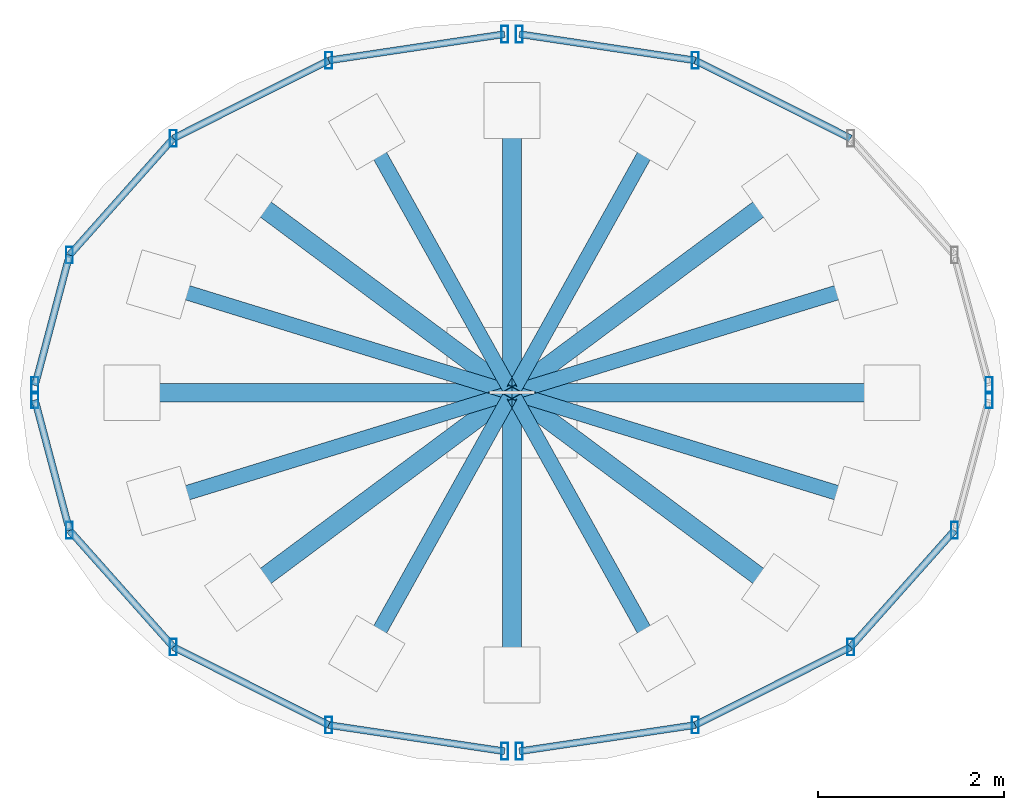
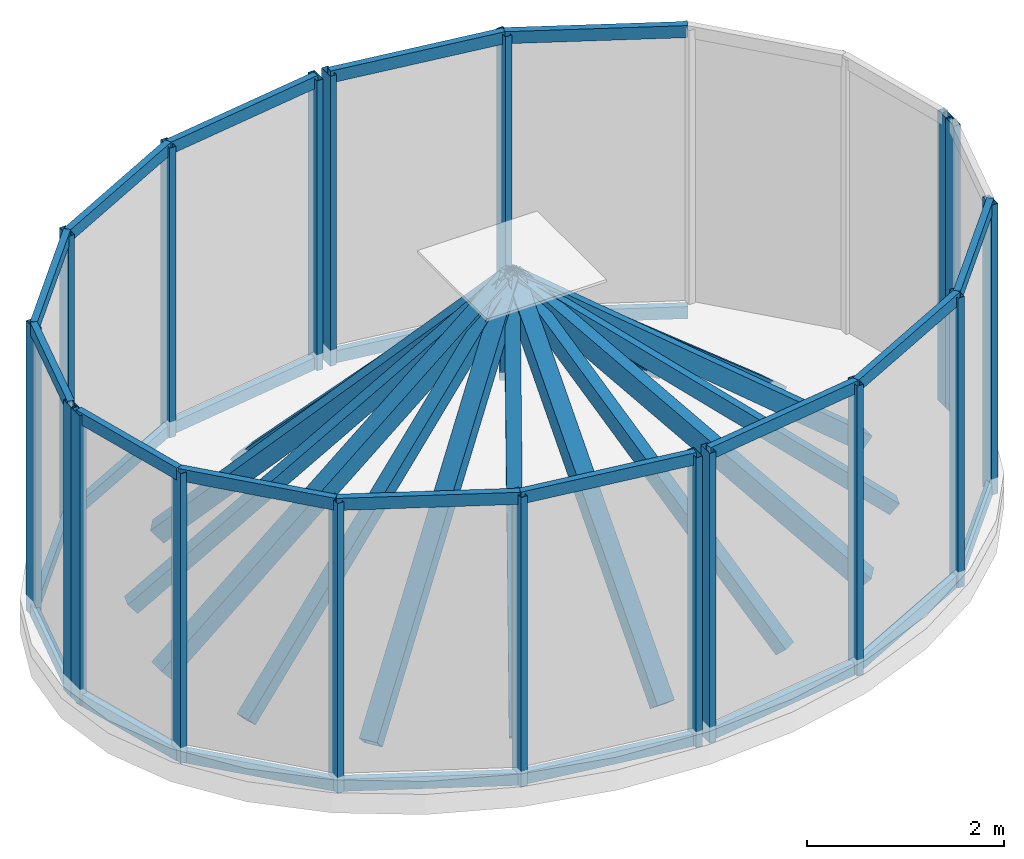
# One storey, part 1 of 2: 60 members, 4 elements without a shape of their own.
"""IFC4 building model written with IfcOpenShell, lengths in metres."""

from ifc_helpers import new_model, si_unit, direction, frame, origin, origin_2d, place, context, subcontext, project, spatial, hollow_rectangle, extrude, material, material_profile, profile_set, type_object, element, aggregate, save


model = new_model("IFC4")

# Units and contexts
model_context = context("Model", 3, precision=1e-05, world=origin(), true_north=direction((0.0, 1.0)))
body_context = subcontext(model_context, "Body", "Model", "MODEL_VIEW")
ifc_project = project(units=[si_unit("LENGTHUNIT", "METRE"), si_unit("AREAUNIT", "SQUARE_METRE"), si_unit("VOLUMEUNIT", "CUBIC_METRE"), si_unit("PLANEANGLEUNIT", "RADIAN"), si_unit("MASSUNIT", "GRAM", prefix="KILO")], contexts=[model_context])

# Site, building, storey
site_placement = place(None, origin())
site = spatial("IfcSite", under=ifc_project, at=site_placement, CompositionType="ELEMENT")
building_placement = place(site_placement, origin())
building = spatial("IfcBuilding", under=site, at=building_placement, Name="Vorneva Point Tower", CompositionType="ELEMENT")
storey_placement = place(building_placement, frame((0.0, 0.0, 314.39990234375)))
storey = spatial("IfcBuildingStorey", under=building, at=storey_placement, Name="RF", CompositionType="ELEMENT", Elevation=314.39990234375)

# Curtain wall, members
ifc_material_1 = material(Name="Pale anodised aluminium", Category="aluminium")
curtain_wall_type = type_object("IfcCurtainWallType", Name="CW-CRN-SYS", PredefinedType="NOTDEFINED", material=ifc_material_1)
curtain_wall_1_placement = place(storey_placement, origin())
curtain_wall_1 = element("IfcCurtainWall", 1, at=curtain_wall_1_placement, inside=storey, type_object=curtain_wall_type, Name="RF Unitised Curtain Wall CW-RF-Q1", PredefinedType="NOTDEFINED")
ifc_material_profile_1 = material_profile(ifc_material_1, hollow_rectangle(XDim=0.074951171875, YDim=0.179931640625, WallThickness=0.00390625, at=origin_2d()), Name="AL-MUL 180x75x4")
ifc_profile_set_1 = profile_set([ifc_material_profile_1], Name="Pale anodised aluminium")
member_type_1 = type_object("IfcMemberType", Name="CW-MUL-180", PredefinedType="MULLION", material=ifc_profile_set_1)
member_1_placement = place(storey_placement, frame((43.119384765625, 26.077392578125, -0.039794921875), z_axis=(0.0, 0.0, 1.0), x_axis=(1.0, 0.0, 0.0)))
member_1 = element("IfcMember", 2, at=member_1_placement, type_object=member_type_1, Name="CW-RF-Q1 Mullion 01", PredefinedType="MULLION", context=body_context, shape_type="SweptSolid", body=[
    extrude(hollow_rectangle(XDim=0.074951171875, YDim=0.179931640625, WallThickness=0.00390625, at=origin_2d()), origin(), (0.0, 0.0, 1.0), 3.58984375),
])
member_2_placement = place(storey_placement, frame((39.967041015625, 29.566162109375, -0.039794921875), z_axis=(0.0, 0.0, 1.0), x_axis=(1.0, 0.0, 0.0)))
member_2 = element("IfcMember", 3, at=member_2_placement, type_object=member_type_1, Name="CW-RF-Q1 Mullion 04", PredefinedType="MULLION", context=body_context, shape_type="SweptSolid", body=[
    extrude(hollow_rectangle(XDim=0.074951171875, YDim=0.179931640625, WallThickness=0.00390625, at=origin_2d()), origin(), (0.0, 0.0, 1.0), 3.58984375),
])
member_3_placement = place(storey_placement, frame((38.0791015625, 29.84814453125, -0.039794921875), z_axis=(0.0, 0.0, 1.0), x_axis=(1.0, 0.0, 0.0)))
member_3 = element("IfcMember", 4, at=member_3_placement, type_object=member_type_1, Name="CW-RF-Q1 Mullion 05", PredefinedType="MULLION", context=body_context, shape_type="SweptSolid", body=[
    extrude(hollow_rectangle(XDim=0.074951171875, YDim=0.179931640625, WallThickness=0.00390625, at=origin_2d()), origin(), (0.0, 0.0, 1.0), 3.58984375),
])

curtain_wall_2_placement = place(storey_placement, origin())
curtain_wall_2 = element("IfcCurtainWall", 5, at=curtain_wall_2_placement, inside=storey, type_object=curtain_wall_type, Name="RF Unitised Curtain Wall CW-RF-Q2", PredefinedType="NOTDEFINED")
member_4_placement = place(storey_placement, frame((37.9208984375, 29.84814453125, -0.039794921875), z_axis=(0.0, 0.0, 1.0), x_axis=(1.0, 0.0, 0.0)))
member_4 = element("IfcMember", 6, at=member_4_placement, type_object=member_type_1, Name="CW-RF-Q2 Mullion 01", PredefinedType="MULLION", context=body_context, shape_type="SweptSolid", body=[
    extrude(hollow_rectangle(XDim=0.074951171875, YDim=0.179931640625, WallThickness=0.00390625, at=origin_2d()), origin(), (0.0, 0.0, 1.0), 3.58984375),
])
member_5_placement = place(storey_placement, frame((36.032958984375, 29.566162109375, -0.039794921875), z_axis=(0.0, 0.0, 1.0), x_axis=(1.0, 0.0, 0.0)))
member_5 = element("IfcMember", 7, at=member_5_placement, type_object=member_type_1, Name="CW-RF-Q2 Mullion 02", PredefinedType="MULLION", context=body_context, shape_type="SweptSolid", body=[
    extrude(hollow_rectangle(XDim=0.074951171875, YDim=0.179931640625, WallThickness=0.00390625, at=origin_2d()), origin(), (0.0, 0.0, 1.0), 3.58984375),
])
member_6_placement = place(storey_placement, frame((34.365478515625, 28.7294921875, -0.039794921875), z_axis=(0.0, 0.0, 1.0), x_axis=(1.0, 0.0, 0.0)))
member_6 = element("IfcMember", 8, at=member_6_placement, type_object=member_type_1, Name="CW-RF-Q2 Mullion 03", PredefinedType="MULLION", context=body_context, shape_type="SweptSolid", body=[
    extrude(hollow_rectangle(XDim=0.074951171875, YDim=0.179931640625, WallThickness=0.00390625, at=origin_2d()), origin(), (0.0, 0.0, 1.0), 3.58984375),
])
member_7_placement = place(storey_placement, frame((33.251220703125, 27.477294921875, -0.039794921875), z_axis=(0.0, 0.0, 1.0), x_axis=(1.0, 0.0, 0.0)))
member_7 = element("IfcMember", 9, at=member_7_placement, type_object=member_type_1, Name="CW-RF-Q2 Mullion 04", PredefinedType="MULLION", context=body_context, shape_type="SweptSolid", body=[
    extrude(hollow_rectangle(XDim=0.074951171875, YDim=0.179931640625, WallThickness=0.00390625, at=origin_2d()), origin(), (0.0, 0.0, 1.0), 3.58984375),
])
member_8_placement = place(storey_placement, frame((32.880615234375, 26.077392578125, -0.039794921875), z_axis=(0.0, 0.0, 1.0), x_axis=(1.0, 0.0, 0.0)))
member_8 = element("IfcMember", 10, at=member_8_placement, type_object=member_type_1, Name="CW-RF-Q2 Mullion 05", PredefinedType="MULLION", context=body_context, shape_type="SweptSolid", body=[
    extrude(hollow_rectangle(XDim=0.074951171875, YDim=0.179931640625, WallThickness=0.00390625, at=origin_2d()), origin(), (0.0, 0.0, 1.0), 3.58984375),
])

curtain_wall_3_placement = place(storey_placement, origin())
curtain_wall_3 = element("IfcCurtainWall", 11, at=curtain_wall_3_placement, inside=storey, type_object=curtain_wall_type, Name="RF Unitised Curtain Wall CW-RF-Q3", PredefinedType="NOTDEFINED")
member_9_placement = place(storey_placement, frame((32.880615234375, 25.922607421875, -0.039794921875), z_axis=(0.0, 0.0, 1.0), x_axis=(1.0, 0.0, 0.0)))
member_9 = element("IfcMember", 12, at=member_9_placement, type_object=member_type_1, Name="CW-RF-Q3 Mullion 01", PredefinedType="MULLION", context=body_context, shape_type="SweptSolid", body=[
    extrude(hollow_rectangle(XDim=0.074951171875, YDim=0.179931640625, WallThickness=0.00390625, at=origin_2d()), origin(), (0.0, 0.0, 1.0), 3.58984375),
])
member_10_placement = place(storey_placement, frame((33.251220703125, 24.522705078125, -0.039794921875), z_axis=(0.0, 0.0, 1.0), x_axis=(1.0, 0.0, 0.0)))
member_10 = element("IfcMember", 13, at=member_10_placement, type_object=member_type_1, Name="CW-RF-Q3 Mullion 02", PredefinedType="MULLION", context=body_context, shape_type="SweptSolid", body=[
    extrude(hollow_rectangle(XDim=0.074951171875, YDim=0.179931640625, WallThickness=0.00390625, at=origin_2d()), origin(), (0.0, 0.0, 1.0), 3.58984375),
])
member_11_placement = place(storey_placement, frame((34.365478515625, 23.2705078125, -0.039794921875), z_axis=(0.0, 0.0, 1.0), x_axis=(1.0, 0.0, 0.0)))
member_11 = element("IfcMember", 14, at=member_11_placement, type_object=member_type_1, Name="CW-RF-Q3 Mullion 03", PredefinedType="MULLION", context=body_context, shape_type="SweptSolid", body=[
    extrude(hollow_rectangle(XDim=0.074951171875, YDim=0.179931640625, WallThickness=0.00390625, at=origin_2d()), origin(), (0.0, 0.0, 1.0), 3.58984375),
])
member_12_placement = place(storey_placement, frame((36.032958984375, 22.433837890625, -0.039794921875), z_axis=(0.0, 0.0, 1.0), x_axis=(1.0, 0.0, 0.0)))
member_12 = element("IfcMember", 15, at=member_12_placement, type_object=member_type_1, Name="CW-RF-Q3 Mullion 04", PredefinedType="MULLION", context=body_context, shape_type="SweptSolid", body=[
    extrude(hollow_rectangle(XDim=0.074951171875, YDim=0.179931640625, WallThickness=0.00390625, at=origin_2d()), origin(), (0.0, 0.0, 1.0), 3.58984375),
])
member_13_placement = place(storey_placement, frame((37.9208984375, 22.15185546875, -0.039794921875), z_axis=(0.0, 0.0, 1.0), x_axis=(1.0, 0.0, 0.0)))
member_13 = element("IfcMember", 16, at=member_13_placement, type_object=member_type_1, Name="CW-RF-Q3 Mullion 05", PredefinedType="MULLION", context=body_context, shape_type="SweptSolid", body=[
    extrude(hollow_rectangle(XDim=0.074951171875, YDim=0.179931640625, WallThickness=0.00390625, at=origin_2d()), origin(), (0.0, 0.0, 1.0), 3.58984375),
])

curtain_wall_4_placement = place(storey_placement, origin())
curtain_wall_4 = element("IfcCurtainWall", 17, at=curtain_wall_4_placement, inside=storey, type_object=curtain_wall_type, Name="RF Unitised Curtain Wall CW-RF-Q4", PredefinedType="NOTDEFINED")
member_14_placement = place(storey_placement, frame((38.0791015625, 22.15185546875, -0.039794921875), z_axis=(0.0, 0.0, 1.0), x_axis=(1.0, 0.0, 0.0)))
member_14 = element("IfcMember", 18, at=member_14_placement, type_object=member_type_1, Name="CW-RF-Q4 Mullion 01", PredefinedType="MULLION", context=body_context, shape_type="SweptSolid", body=[
    extrude(hollow_rectangle(XDim=0.074951171875, YDim=0.179931640625, WallThickness=0.00390625, at=origin_2d()), origin(), (0.0, 0.0, 1.0), 3.58984375),
])
member_15_placement = place(storey_placement, frame((39.967041015625, 22.433837890625, -0.039794921875), z_axis=(0.0, 0.0, 1.0), x_axis=(1.0, 0.0, 0.0)))
member_15 = element("IfcMember", 19, at=member_15_placement, type_object=member_type_1, Name="CW-RF-Q4 Mullion 02", PredefinedType="MULLION", context=body_context, shape_type="SweptSolid", body=[
    extrude(hollow_rectangle(XDim=0.074951171875, YDim=0.179931640625, WallThickness=0.00390625, at=origin_2d()), origin(), (0.0, 0.0, 1.0), 3.58984375),
])
member_16_placement = place(storey_placement, frame((41.634521484375, 23.2705078125, -0.039794921875), z_axis=(0.0, 0.0, 1.0), x_axis=(1.0, 0.0, 0.0)))
member_16 = element("IfcMember", 20, at=member_16_placement, type_object=member_type_1, Name="CW-RF-Q4 Mullion 03", PredefinedType="MULLION", context=body_context, shape_type="SweptSolid", body=[
    extrude(hollow_rectangle(XDim=0.074951171875, YDim=0.179931640625, WallThickness=0.00390625, at=origin_2d()), origin(), (0.0, 0.0, 1.0), 3.58984375),
])
member_17_placement = place(storey_placement, frame((42.748779296875, 24.522705078125, -0.039794921875), z_axis=(0.0, 0.0, 1.0), x_axis=(1.0, 0.0, 0.0)))
member_17 = element("IfcMember", 21, at=member_17_placement, type_object=member_type_1, Name="CW-RF-Q4 Mullion 04", PredefinedType="MULLION", context=body_context, shape_type="SweptSolid", body=[
    extrude(hollow_rectangle(XDim=0.074951171875, YDim=0.179931640625, WallThickness=0.00390625, at=origin_2d()), origin(), (0.0, 0.0, 1.0), 3.58984375),
])
member_18_placement = place(storey_placement, frame((43.119384765625, 25.922607421875, -0.039794921875), z_axis=(0.0, 0.0, 1.0), x_axis=(1.0, 0.0, 0.0)))
member_18 = element("IfcMember", 22, at=member_18_placement, type_object=member_type_1, Name="CW-RF-Q4 Mullion 05", PredefinedType="MULLION", context=body_context, shape_type="SweptSolid", body=[
    extrude(hollow_rectangle(XDim=0.074951171875, YDim=0.179931640625, WallThickness=0.00390625, at=origin_2d()), origin(), (0.0, 0.0, 1.0), 3.58984375),
])

# Member
ifc_material_profile_2 = material_profile(ifc_material_1, hollow_rectangle(XDim=0.074951171875, YDim=0.14990234375, WallThickness=0.00390625, at=origin_2d()), Name="AL-TRN 150x75x4")
ifc_profile_set_2 = profile_set([ifc_material_profile_2], Name="Pale anodised aluminium")
member_type_2 = type_object("IfcMemberType", Name="CW-TRN-150", PredefinedType="USERDEFINED", material=ifc_profile_set_2)
member_19_placement = place(storey_placement, frame((41.634521484375, 28.7294921875, 0.02001953125), z_axis=(-0.8937981636, 0.448469444606, 0.0), x_axis=(-0.448469444606, -0.8937981636, 0.0)))
member_19 = element("IfcMember", 23, at=member_19_placement, type_object=member_type_2, Name="CW-RF-Q1 Transom 03.1", ObjectType="TRANSOM", PredefinedType="USERDEFINED", context=body_context, shape_type="SweptSolid", body=[
    extrude(hollow_rectangle(XDim=0.074951171875, YDim=0.14990234375, WallThickness=0.00390625, at=origin_2d()), origin(), (0.0, 0.0, 1.0), 1.86572265625),
])

member_20_placement = place(storey_placement, frame((41.634521484375, 28.7294921875, 3.5), z_axis=(-0.8937981636, 0.448469444606, 0.0), x_axis=(-0.448469444606, -0.8937981636, 0.0)))
member_20 = element("IfcMember", 24, at=member_20_placement, type_object=member_type_2, Name="CW-RF-Q1 Transom 03.2", ObjectType="TRANSOM", PredefinedType="USERDEFINED", context=body_context, shape_type="SweptSolid", body=[
    extrude(hollow_rectangle(XDim=0.074951171875, YDim=0.14990234375, WallThickness=0.00390625, at=origin_2d()), origin(), (0.0, 0.0, 1.0), 1.86572265625),
])

member_21_placement = place(storey_placement, frame((39.967041015625, 29.566162109375, 0.02001953125), z_axis=(-0.989029033049, 0.147721263827, 0.0), x_axis=(-0.147721263827, -0.989029033049, 0.0)))
member_21 = element("IfcMember", 25, at=member_21_placement, type_object=member_type_2, Name="CW-RF-Q1 Transom 04.1", ObjectType="TRANSOM", PredefinedType="USERDEFINED", context=body_context, shape_type="SweptSolid", body=[
    extrude(hollow_rectangle(XDim=0.074951171875, YDim=0.14990234375, WallThickness=0.00390625, at=origin_2d()), origin(), (0.0, 0.0, 1.0), 1.908935546875),
])

member_22_placement = place(storey_placement, frame((39.967041015625, 29.566162109375, 3.5), z_axis=(-0.989029033049, 0.147721263827, 0.0), x_axis=(-0.147721263827, -0.989029033049, 0.0)))
member_22 = element("IfcMember", 26, at=member_22_placement, type_object=member_type_2, Name="CW-RF-Q1 Transom 04.2", ObjectType="TRANSOM", PredefinedType="USERDEFINED", context=body_context, shape_type="SweptSolid", body=[
    extrude(hollow_rectangle(XDim=0.074951171875, YDim=0.14990234375, WallThickness=0.00390625, at=origin_2d()), origin(), (0.0, 0.0, 1.0), 1.908935546875),
])

aggregate(curtain_wall_1, [member_1, member_2, member_3, member_19, member_20, member_21, member_22])

member_23_placement = place(storey_placement, frame((37.9208984375, 29.84814453125, 0.02001953125), z_axis=(-0.989029033049, -0.147721263827, 0.0), x_axis=(0.147721263827, -0.989029033049, 0.0)))
member_23 = element("IfcMember", 27, at=member_23_placement, type_object=member_type_2, Name="CW-RF-Q2 Transom 01.1", ObjectType="TRANSOM", PredefinedType="USERDEFINED", context=body_context, shape_type="SweptSolid", body=[
    extrude(hollow_rectangle(XDim=0.074951171875, YDim=0.14990234375, WallThickness=0.00390625, at=origin_2d()), origin(), (0.0, 0.0, 1.0), 1.908935546875),
])

member_24_placement = place(storey_placement, frame((37.9208984375, 29.84814453125, 3.5), z_axis=(-0.989029033049, -0.147721263827, 0.0), x_axis=(0.147721263827, -0.989029033049, 0.0)))
member_24 = element("IfcMember", 28, at=member_24_placement, type_object=member_type_2, Name="CW-RF-Q2 Transom 01.2", ObjectType="TRANSOM", PredefinedType="USERDEFINED", context=body_context, shape_type="SweptSolid", body=[
    extrude(hollow_rectangle(XDim=0.074951171875, YDim=0.14990234375, WallThickness=0.00390625, at=origin_2d()), origin(), (0.0, 0.0, 1.0), 1.908935546875),
])

member_25_placement = place(storey_placement, frame((36.032958984375, 29.566162109375, 0.02001953125), z_axis=(-0.8937981636, -0.448469444606, 0.0), x_axis=(0.448469444606, -0.8937981636, 0.0)))
member_25 = element("IfcMember", 29, at=member_25_placement, type_object=member_type_2, Name="CW-RF-Q2 Transom 02.1", ObjectType="TRANSOM", PredefinedType="USERDEFINED", context=body_context, shape_type="SweptSolid", body=[
    extrude(hollow_rectangle(XDim=0.074951171875, YDim=0.14990234375, WallThickness=0.00390625, at=origin_2d()), origin(), (0.0, 0.0, 1.0), 1.86572265625),
])

member_26_placement = place(storey_placement, frame((36.032958984375, 29.566162109375, 3.5), z_axis=(-0.8937981636, -0.448469444606, 0.0), x_axis=(0.448469444606, -0.8937981636, 0.0)))
member_26 = element("IfcMember", 30, at=member_26_placement, type_object=member_type_2, Name="CW-RF-Q2 Transom 02.2", ObjectType="TRANSOM", PredefinedType="USERDEFINED", context=body_context, shape_type="SweptSolid", body=[
    extrude(hollow_rectangle(XDim=0.074951171875, YDim=0.14990234375, WallThickness=0.00390625, at=origin_2d()), origin(), (0.0, 0.0, 1.0), 1.86572265625),
])

member_27_placement = place(storey_placement, frame((34.365478515625, 28.7294921875, 0.02001953125), z_axis=(-0.664761528843, -0.747055626958, 0.0), x_axis=(0.747055626958, -0.664761528843, 0.0)))
member_27 = element("IfcMember", 31, at=member_27_placement, type_object=member_type_2, Name="CW-RF-Q2 Transom 03.1", ObjectType="TRANSOM", PredefinedType="USERDEFINED", context=body_context, shape_type="SweptSolid", body=[
    extrude(hollow_rectangle(XDim=0.074951171875, YDim=0.14990234375, WallThickness=0.00390625, at=origin_2d()), origin(), (0.0, 0.0, 1.0), 1.67626953125),
])

member_28_placement = place(storey_placement, frame((34.365478515625, 28.7294921875, 3.5), z_axis=(-0.664761528843, -0.747055626958, 0.0), x_axis=(0.747055626958, -0.664761528843, 0.0)))
member_28 = element("IfcMember", 32, at=member_28_placement, type_object=member_type_2, Name="CW-RF-Q2 Transom 03.2", ObjectType="TRANSOM", PredefinedType="USERDEFINED", context=body_context, shape_type="SweptSolid", body=[
    extrude(hollow_rectangle(XDim=0.074951171875, YDim=0.14990234375, WallThickness=0.00390625, at=origin_2d()), origin(), (0.0, 0.0, 1.0), 1.67626953125),
])

member_29_placement = place(storey_placement, frame((33.251220703125, 27.477294921875, 0.02001953125), z_axis=(-0.255920363331, -0.966697867812, 0.0), x_axis=(0.966697867812, -0.255920363331, 0.0)))
member_29 = element("IfcMember", 33, at=member_29_placement, type_object=member_type_2, Name="CW-RF-Q2 Transom 04.1", ObjectType="TRANSOM", PredefinedType="USERDEFINED", context=body_context, shape_type="SweptSolid", body=[
    extrude(hollow_rectangle(XDim=0.074951171875, YDim=0.14990234375, WallThickness=0.00390625, at=origin_2d()), origin(), (0.0, 0.0, 1.0), 1.4482421875),
])

member_30_placement = place(storey_placement, frame((33.251220703125, 27.477294921875, 3.5), z_axis=(-0.255920363331, -0.966697867812, 0.0), x_axis=(0.966697867812, -0.255920363331, 0.0)))
member_30 = element("IfcMember", 34, at=member_30_placement, type_object=member_type_2, Name="CW-RF-Q2 Transom 04.2", ObjectType="TRANSOM", PredefinedType="USERDEFINED", context=body_context, shape_type="SweptSolid", body=[
    extrude(hollow_rectangle(XDim=0.074951171875, YDim=0.14990234375, WallThickness=0.00390625, at=origin_2d()), origin(), (0.0, 0.0, 1.0), 1.4482421875),
])

aggregate(curtain_wall_2, [member_4, member_5, member_6, member_7, member_8, member_23, member_24, member_25, member_26, member_27, member_28, member_29, member_30])

member_31_placement = place(storey_placement, frame((32.880615234375, 25.922607421875, 0.02001953125), z_axis=(0.255920363331, -0.966697867812, 0.0), x_axis=(0.966697867812, 0.255920363331, 0.0)))
member_31 = element("IfcMember", 35, at=member_31_placement, type_object=member_type_2, Name="CW-RF-Q3 Transom 01.1", ObjectType="TRANSOM", PredefinedType="USERDEFINED", context=body_context, shape_type="SweptSolid", body=[
    extrude(hollow_rectangle(XDim=0.074951171875, YDim=0.14990234375, WallThickness=0.00390625, at=origin_2d()), origin(), (0.0, 0.0, 1.0), 1.4482421875),
])

member_32_placement = place(storey_placement, frame((32.880615234375, 25.922607421875, 3.5), z_axis=(0.255920363331, -0.966697867812, 0.0), x_axis=(0.966697867812, 0.255920363331, 0.0)))
member_32 = element("IfcMember", 36, at=member_32_placement, type_object=member_type_2, Name="CW-RF-Q3 Transom 01.2", ObjectType="TRANSOM", PredefinedType="USERDEFINED", context=body_context, shape_type="SweptSolid", body=[
    extrude(hollow_rectangle(XDim=0.074951171875, YDim=0.14990234375, WallThickness=0.00390625, at=origin_2d()), origin(), (0.0, 0.0, 1.0), 1.4482421875),
])

member_33_placement = place(storey_placement, frame((33.251220703125, 24.522705078125, 0.02001953125), z_axis=(0.664761528843, -0.747055626958, 0.0), x_axis=(0.747055626958, 0.664761528843, 0.0)))
member_33 = element("IfcMember", 37, at=member_33_placement, type_object=member_type_2, Name="CW-RF-Q3 Transom 02.1", ObjectType="TRANSOM", PredefinedType="USERDEFINED", context=body_context, shape_type="SweptSolid", body=[
    extrude(hollow_rectangle(XDim=0.074951171875, YDim=0.14990234375, WallThickness=0.00390625, at=origin_2d()), origin(), (0.0, 0.0, 1.0), 1.67626953125),
])

member_34_placement = place(storey_placement, frame((33.251220703125, 24.522705078125, 3.5), z_axis=(0.664761528843, -0.747055626958, 0.0), x_axis=(0.747055626958, 0.664761528843, 0.0)))
member_34 = element("IfcMember", 38, at=member_34_placement, type_object=member_type_2, Name="CW-RF-Q3 Transom 02.2", ObjectType="TRANSOM", PredefinedType="USERDEFINED", context=body_context, shape_type="SweptSolid", body=[
    extrude(hollow_rectangle(XDim=0.074951171875, YDim=0.14990234375, WallThickness=0.00390625, at=origin_2d()), origin(), (0.0, 0.0, 1.0), 1.67626953125),
])

member_35_placement = place(storey_placement, frame((34.365478515625, 23.2705078125, 0.02001953125), z_axis=(0.8937981636, -0.448469444606, 0.0), x_axis=(0.448469444606, 0.8937981636, 0.0)))
member_35 = element("IfcMember", 39, at=member_35_placement, type_object=member_type_2, Name="CW-RF-Q3 Transom 03.1", ObjectType="TRANSOM", PredefinedType="USERDEFINED", context=body_context, shape_type="SweptSolid", body=[
    extrude(hollow_rectangle(XDim=0.074951171875, YDim=0.14990234375, WallThickness=0.00390625, at=origin_2d()), origin(), (0.0, 0.0, 1.0), 1.86572265625),
])

member_36_placement = place(storey_placement, frame((34.365478515625, 23.2705078125, 3.5), z_axis=(0.8937981636, -0.448469444606, 0.0), x_axis=(0.448469444606, 0.8937981636, 0.0)))
member_36 = element("IfcMember", 40, at=member_36_placement, type_object=member_type_2, Name="CW-RF-Q3 Transom 03.2", ObjectType="TRANSOM", PredefinedType="USERDEFINED", context=body_context, shape_type="SweptSolid", body=[
    extrude(hollow_rectangle(XDim=0.074951171875, YDim=0.14990234375, WallThickness=0.00390625, at=origin_2d()), origin(), (0.0, 0.0, 1.0), 1.86572265625),
])

member_37_placement = place(storey_placement, frame((36.032958984375, 22.433837890625, 0.02001953125), z_axis=(0.989029033049, -0.147721263827, 0.0), x_axis=(0.147721263827, 0.989029033049, 0.0)))
member_37 = element("IfcMember", 41, at=member_37_placement, type_object=member_type_2, Name="CW-RF-Q3 Transom 04.1", ObjectType="TRANSOM", PredefinedType="USERDEFINED", context=body_context, shape_type="SweptSolid", body=[
    extrude(hollow_rectangle(XDim=0.074951171875, YDim=0.14990234375, WallThickness=0.00390625, at=origin_2d()), origin(), (0.0, 0.0, 1.0), 1.908935546875),
])

member_38_placement = place(storey_placement, frame((36.032958984375, 22.433837890625, 3.5), z_axis=(0.989029033049, -0.147721263827, 0.0), x_axis=(0.147721263827, 0.989029033049, 0.0)))
member_38 = element("IfcMember", 42, at=member_38_placement, type_object=member_type_2, Name="CW-RF-Q3 Transom 04.2", ObjectType="TRANSOM", PredefinedType="USERDEFINED", context=body_context, shape_type="SweptSolid", body=[
    extrude(hollow_rectangle(XDim=0.074951171875, YDim=0.14990234375, WallThickness=0.00390625, at=origin_2d()), origin(), (0.0, 0.0, 1.0), 1.908935546875),
])

aggregate(curtain_wall_3, [member_9, member_10, member_11, member_12, member_13, member_31, member_32, member_33, member_34, member_35, member_36, member_37, member_38])

member_39_placement = place(storey_placement, frame((38.0791015625, 22.15185546875, 0.02001953125), z_axis=(0.989029033049, 0.147721263827, 0.0), x_axis=(-0.147721263827, 0.989029033049, 0.0)))
member_39 = element("IfcMember", 43, at=member_39_placement, type_object=member_type_2, Name="CW-RF-Q4 Transom 01.1", ObjectType="TRANSOM", PredefinedType="USERDEFINED", context=body_context, shape_type="SweptSolid", body=[
    extrude(hollow_rectangle(XDim=0.074951171875, YDim=0.14990234375, WallThickness=0.00390625, at=origin_2d()), origin(), (0.0, 0.0, 1.0), 1.908935546875),
])

member_40_placement = place(storey_placement, frame((38.0791015625, 22.15185546875, 3.5), z_axis=(0.989029033049, 0.147721263827, 0.0), x_axis=(-0.147721263827, 0.989029033049, 0.0)))
member_40 = element("IfcMember", 44, at=member_40_placement, type_object=member_type_2, Name="CW-RF-Q4 Transom 01.2", ObjectType="TRANSOM", PredefinedType="USERDEFINED", context=body_context, shape_type="SweptSolid", body=[
    extrude(hollow_rectangle(XDim=0.074951171875, YDim=0.14990234375, WallThickness=0.00390625, at=origin_2d()), origin(), (0.0, 0.0, 1.0), 1.908935546875),
])

member_41_placement = place(storey_placement, frame((39.967041015625, 22.433837890625, 0.02001953125), z_axis=(0.8937981636, 0.448469444606, 0.0), x_axis=(-0.448469444606, 0.8937981636, 0.0)))
member_41 = element("IfcMember", 45, at=member_41_placement, type_object=member_type_2, Name="CW-RF-Q4 Transom 02.1", ObjectType="TRANSOM", PredefinedType="USERDEFINED", context=body_context, shape_type="SweptSolid", body=[
    extrude(hollow_rectangle(XDim=0.074951171875, YDim=0.14990234375, WallThickness=0.00390625, at=origin_2d()), origin(), (0.0, 0.0, 1.0), 1.86572265625),
])

member_42_placement = place(storey_placement, frame((39.967041015625, 22.433837890625, 3.5), z_axis=(0.8937981636, 0.448469444606, 0.0), x_axis=(-0.448469444606, 0.8937981636, 0.0)))
member_42 = element("IfcMember", 46, at=member_42_placement, type_object=member_type_2, Name="CW-RF-Q4 Transom 02.2", ObjectType="TRANSOM", PredefinedType="USERDEFINED", context=body_context, shape_type="SweptSolid", body=[
    extrude(hollow_rectangle(XDim=0.074951171875, YDim=0.14990234375, WallThickness=0.00390625, at=origin_2d()), origin(), (0.0, 0.0, 1.0), 1.86572265625),
])

member_43_placement = place(storey_placement, frame((41.634521484375, 23.2705078125, 0.02001953125), z_axis=(0.664761528843, 0.747055626958, 0.0), x_axis=(-0.747055626958, 0.664761528843, 0.0)))
member_43 = element("IfcMember", 47, at=member_43_placement, type_object=member_type_2, Name="CW-RF-Q4 Transom 03.1", ObjectType="TRANSOM", PredefinedType="USERDEFINED", context=body_context, shape_type="SweptSolid", body=[
    extrude(hollow_rectangle(XDim=0.074951171875, YDim=0.14990234375, WallThickness=0.00390625, at=origin_2d()), origin(), (0.0, 0.0, 1.0), 1.67626953125),
])

member_44_placement = place(storey_placement, frame((41.634521484375, 23.2705078125, 3.5), z_axis=(0.664761528843, 0.747055626958, 0.0), x_axis=(-0.747055626958, 0.664761528843, 0.0)))
member_44 = element("IfcMember", 48, at=member_44_placement, type_object=member_type_2, Name="CW-RF-Q4 Transom 03.2", ObjectType="TRANSOM", PredefinedType="USERDEFINED", context=body_context, shape_type="SweptSolid", body=[
    extrude(hollow_rectangle(XDim=0.074951171875, YDim=0.14990234375, WallThickness=0.00390625, at=origin_2d()), origin(), (0.0, 0.0, 1.0), 1.67626953125),
])

aggregate(curtain_wall_4, [member_14, member_15, member_16, member_17, member_18, member_39, member_40, member_41, member_42, member_43, member_44])

# Members
ifc_material_2 = material(Name="Steel S355", Category="steel")
ifc_material_profile_3 = material_profile(ifc_material_2, hollow_rectangle(XDim=0.159912109375, YDim=0.159912109375, WallThickness=0.008056640625, at=origin_2d()), Name="PK 160x160x8")
ifc_profile_set_3 = profile_set([ifc_material_profile_3], Name="Steel S355")
member_type_3 = type_object("IfcMemberType", Name="MBR-CRN-PK160", PredefinedType="RAFTER", material=ifc_profile_set_3)
member_45_placement = place(storey_placement, frame((41.787841796875, 27.167236328125, -0.079833984375), z_axis=(-0.721303969506, -0.22227227059, 0.655984467272), x_axis=(0.294488358045, -0.955655066944, 0.0)))
element("IfcMember", 49, at=member_45_placement, inside=storey, type_object=member_type_3, Name="Crown Glass-Point Apex Rafter 02", PredefinedType="RAFTER", context=body_context, shape_type="SweptSolid", body=[
    extrude(hollow_rectangle(XDim=0.159912109375, YDim=0.159912109375, WallThickness=0.008056640625, at=origin_2d()), origin(), (0.0, 0.0, 1.0), 5.25146484375),
])
for number, where, z_axis, x_axis, name in (
    (50, (39.569091796875, 28.81787109375, -0.079833984375), (-0.332502913043, -0.597129083919, 0.729985390235), (0.873681973594, -0.486497491275, 0.0), "Crown Glass-Point Apex Rafter 04"),
    (51, (36.430908203125, 28.81787109375, -0.079833984375), (0.332502913043, -0.597129083919, 0.729985390235), (0.873681973594, 0.486497491275, 0.0), "Crown Glass-Point Apex Rafter 06"),
):
    element("IfcMember", number, at=place(storey_placement, frame(where, z_axis=z_axis, x_axis=x_axis)), inside=storey, type_object=member_type_3, Name=name, PredefinedType="RAFTER", context=body_context, shape_type="SweptSolid", body=[
        extrude(hollow_rectangle(XDim=0.159912109375, YDim=0.159912109375, WallThickness=0.008056640625, at=origin_2d()), origin(), (0.0, 0.0, 1.0), 4.718994140625),
    ])
for number, where, z_axis, x_axis, name in (
    (52, (34.212158203125, 27.167236328125, -0.079833984375), (0.721303969506, -0.22227227059, 0.655984467272), (0.294488358045, 0.955655066944, 0.0), "Crown Glass-Point Apex Rafter 08"),
    (53, (34.212158203125, 24.832763671875, -0.079833984375), (0.721303969506, 0.22227227059, 0.655984467272), (-0.294488358045, 0.955655066944, 0.0), "Crown Glass-Point Apex Rafter 10"),
):
    element("IfcMember", number, at=place(storey_placement, frame(where, z_axis=z_axis, x_axis=x_axis)), inside=storey, type_object=member_type_3, Name=name, PredefinedType="RAFTER", context=body_context, shape_type="SweptSolid", body=[
        extrude(hollow_rectangle(XDim=0.159912109375, YDim=0.159912109375, WallThickness=0.008056640625, at=origin_2d()), origin(), (0.0, 0.0, 1.0), 5.25146484375),
    ])
for number, where, z_axis, x_axis, name in (
    (54, (36.430908203125, 23.18212890625, -0.079833984375), (0.332502913043, 0.597129083919, 0.729985390235), (-0.873681973594, 0.486497491275, 0.0), "Crown Glass-Point Apex Rafter 12"),
    (55, (39.569091796875, 23.18212890625, -0.079833984375), (-0.332502913043, 0.597129083919, 0.729985390235), (-0.873681973594, -0.486497491275, 0.0), "Crown Glass-Point Apex Rafter 14"),
):
    element("IfcMember", number, at=place(storey_placement, frame(where, z_axis=z_axis, x_axis=x_axis)), inside=storey, type_object=member_type_3, Name=name, PredefinedType="RAFTER", context=body_context, shape_type="SweptSolid", body=[
        extrude(hollow_rectangle(XDim=0.159912109375, YDim=0.159912109375, WallThickness=0.008056640625, at=origin_2d()), origin(), (0.0, 0.0, 1.0), 4.718994140625),
    ])
member_46_placement = place(storey_placement, frame((41.787841796875, 24.832763671875, -0.079833984375), z_axis=(-0.721303969506, 0.22227227059, 0.655984467272), x_axis=(-0.294488358045, -0.955655066944, 0.0)))
element("IfcMember", 56, at=member_46_placement, inside=storey, type_object=member_type_3, Name="Crown Glass-Point Apex Rafter 16", PredefinedType="RAFTER", context=body_context, shape_type="SweptSolid", body=[
    extrude(hollow_rectangle(XDim=0.159912109375, YDim=0.159912109375, WallThickness=0.008056640625, at=origin_2d()), origin(), (0.0, 0.0, 1.0), 5.25146484375),
])
ifc_material_profile_4 = material_profile(ifc_material_2, hollow_rectangle(XDim=0.199951171875, YDim=0.199951171875, WallThickness=0.010009765625, at=origin_2d()), Name="PK 200x200x10")
ifc_profile_set_4 = profile_set([ifc_material_profile_4], Name="Steel S355")
member_type_4 = type_object("IfcMemberType", Name="MBR-CRN-PK200", PredefinedType="RAFTER", material=ifc_profile_set_4)
member_47_placement = place(storey_placement, frame((42.10009765625, 26.0, -0.079833984375), z_axis=(-0.765636603946, 0.0, 0.643273340578), x_axis=(0.0, -1.0, 0.0)))
element("IfcMember", 57, at=member_47_placement, inside=storey, type_object=member_type_4, Name="Crown Glass-Point Apex Rafter 01", PredefinedType="RAFTER", context=body_context, shape_type="SweptSolid", body=[
    extrude(hollow_rectangle(XDim=0.199951171875, YDim=0.199951171875, WallThickness=0.010009765625, at=origin_2d()), origin(), (0.0, 0.0, 1.0), 5.355224609375),
])
member_48_placement = place(storey_placement, frame((40.899169921875, 28.15673828125, -0.079833984375), z_axis=(-0.580722936853, -0.432008962034, 0.690021106442), x_axis=(0.596871208581, -0.802337061569, 0.0)))
element("IfcMember", 58, at=member_48_placement, inside=storey, type_object=member_type_4, Name="Crown Glass-Point Apex Rafter 03", PredefinedType="RAFTER", context=body_context, shape_type="SweptSolid", body=[
    extrude(hollow_rectangle(XDim=0.199951171875, YDim=0.199951171875, WallThickness=0.010009765625, at=origin_2d()), origin(), (0.0, 0.0, 1.0), 4.992431640625),
])
member_49_placement = place(storey_placement, frame((38.0, 29.050048828125, -0.079833984375), z_axis=(0.0, -0.662903550983, 0.748704803039), x_axis=(1.0, 0.0, 0.0)))
element("IfcMember", 59, at=member_49_placement, inside=storey, type_object=member_type_4, Name="Crown Glass-Point Apex Rafter 05", PredefinedType="RAFTER", context=body_context, shape_type="SweptSolid", body=[
    extrude(hollow_rectangle(XDim=0.199951171875, YDim=0.199951171875, WallThickness=0.010009765625, at=origin_2d()), origin(), (0.0, 0.0, 1.0), 4.60107421875),
])
member_50_placement = place(storey_placement, frame((35.100830078125, 28.15673828125, -0.079833984375), z_axis=(0.580722936853, -0.432008962034, 0.690021106442), x_axis=(0.596871208581, 0.802337061569, 0.0)))
element("IfcMember", 60, at=member_50_placement, inside=storey, type_object=member_type_4, Name="Crown Glass-Point Apex Rafter 07", PredefinedType="RAFTER", context=body_context, shape_type="SweptSolid", body=[
    extrude(hollow_rectangle(XDim=0.199951171875, YDim=0.199951171875, WallThickness=0.010009765625, at=origin_2d()), origin(), (0.0, 0.0, 1.0), 4.992431640625),
])
member_51_placement = place(storey_placement, frame((33.89990234375, 26.0, -0.079833984375), z_axis=(0.765636603946, 0.0, 0.643273340578), x_axis=(0.0, 1.0, 0.0)))
element("IfcMember", 61, at=member_51_placement, inside=storey, type_object=member_type_4, Name="Crown Glass-Point Apex Rafter 09", PredefinedType="RAFTER", context=body_context, shape_type="SweptSolid", body=[
    extrude(hollow_rectangle(XDim=0.199951171875, YDim=0.199951171875, WallThickness=0.010009765625, at=origin_2d()), origin(), (0.0, 0.0, 1.0), 5.355224609375),
])
member_52_placement = place(storey_placement, frame((35.100830078125, 23.84326171875, -0.079833984375), z_axis=(0.580722936853, 0.432008962034, 0.690021106442), x_axis=(-0.596871208581, 0.802337061569, 0.0)))
element("IfcMember", 62, at=member_52_placement, inside=storey, type_object=member_type_4, Name="Crown Glass-Point Apex Rafter 11", PredefinedType="RAFTER", context=body_context, shape_type="SweptSolid", body=[
    extrude(hollow_rectangle(XDim=0.199951171875, YDim=0.199951171875, WallThickness=0.010009765625, at=origin_2d()), origin(), (0.0, 0.0, 1.0), 4.992431640625),
])
member_53_placement = place(storey_placement, frame((38.0, 22.949951171875, -0.079833984375), z_axis=(0.0, 0.662903550983, 0.748704803039), x_axis=(-1.0, 0.0, 0.0)))
element("IfcMember", 63, at=member_53_placement, inside=storey, type_object=member_type_4, Name="Crown Glass-Point Apex Rafter 13", PredefinedType="RAFTER", context=body_context, shape_type="SweptSolid", body=[
    extrude(hollow_rectangle(XDim=0.199951171875, YDim=0.199951171875, WallThickness=0.010009765625, at=origin_2d()), origin(), (0.0, 0.0, 1.0), 4.60107421875),
])
member_54_placement = place(storey_placement, frame((40.899169921875, 23.84326171875, -0.079833984375), z_axis=(-0.580722936853, 0.432008962034, 0.690021106442), x_axis=(-0.596871208581, -0.802337061569, 0.0)))
element("IfcMember", 64, at=member_54_placement, inside=storey, type_object=member_type_4, Name="Crown Glass-Point Apex Rafter 15", PredefinedType="RAFTER", context=body_context, shape_type="SweptSolid", body=[
    extrude(hollow_rectangle(XDim=0.199951171875, YDim=0.199951171875, WallThickness=0.010009765625, at=origin_2d()), origin(), (0.0, 0.0, 1.0), 4.992431640625),
])

save(model, "model.ifc")
